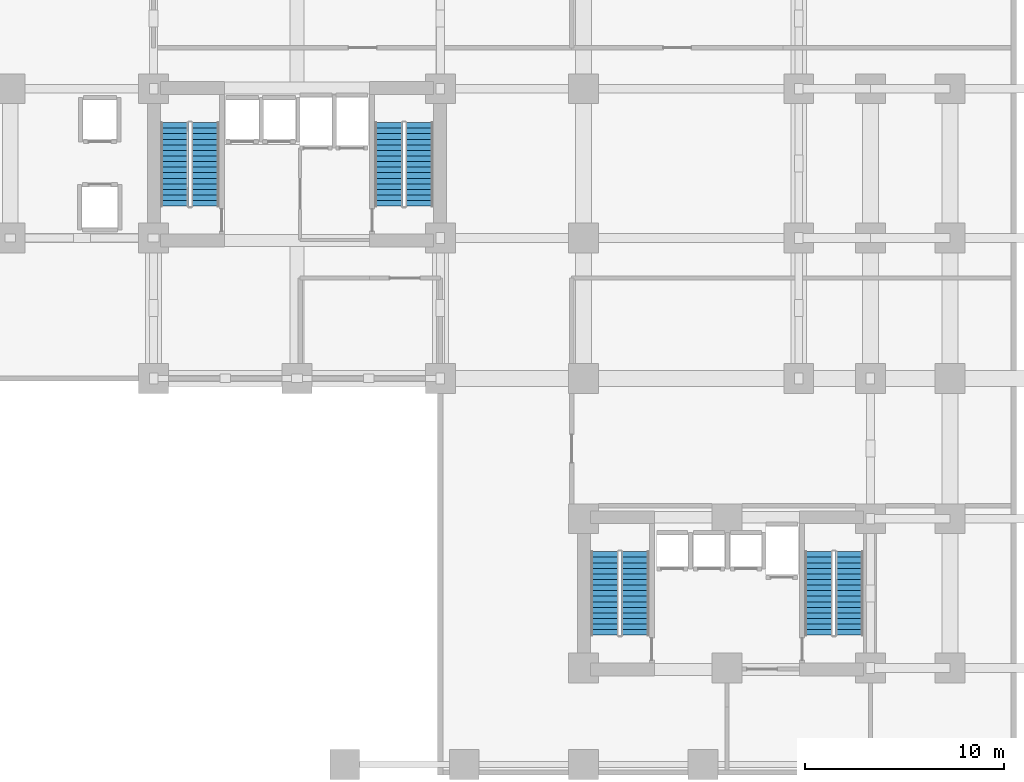
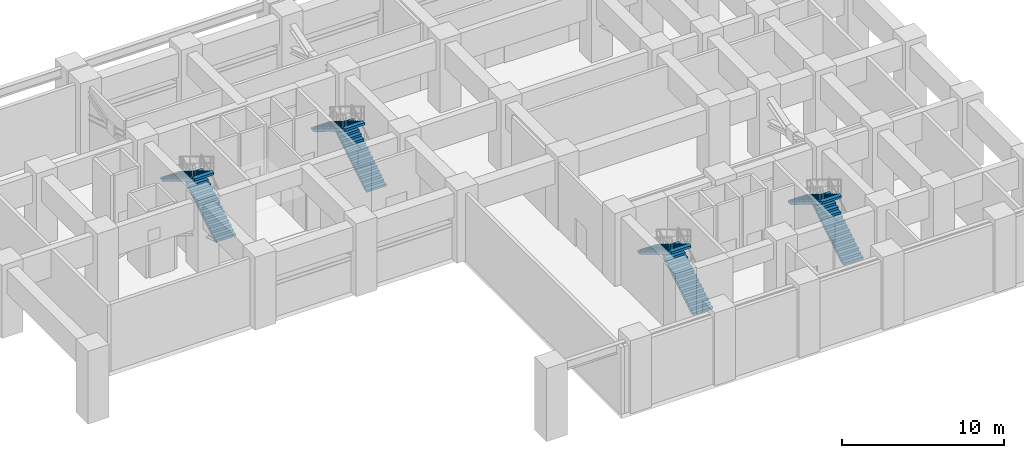
# One storey, part 6 of 9: 8 stair flights, 4 elements without a shape of their own.
"""IFC4 building model written with IfcOpenShell, lengths in metres."""

from ifc_helpers import new_model, si_unit, direction, frame, origin, place, context, subcontext, project, spatial, polyline, outline, extrude, material, type_object, element, aggregate, save


model = new_model("IFC4")

# Units and contexts
model_context = context("Model", 3, precision=1e-05, world=origin(), true_north=direction((0.0, 1.0)))
body_context = subcontext(model_context, "Body", "Model", "MODEL_VIEW")
ifc_project = project(units=[si_unit("LENGTHUNIT", "METRE"), si_unit("AREAUNIT", "SQUARE_METRE"), si_unit("VOLUMEUNIT", "CUBIC_METRE"), si_unit("PLANEANGLEUNIT", "RADIAN"), si_unit("MASSUNIT", "GRAM", prefix="KILO")], contexts=[model_context])

# Site, building, storey
site_placement = place(None, origin())
site = spatial("IfcSite", under=ifc_project, at=site_placement, CompositionType="ELEMENT")
building_placement = place(site_placement, origin())
building = spatial("IfcBuilding", under=site, at=building_placement, Name="Kaliganga Portal Commons", CompositionType="ELEMENT")
storey_placement = place(building_placement, frame((0.0, 0.0, 19.800048828125)))
storey = spatial("IfcBuildingStorey", under=building, at=storey_placement, Name="L04", CompositionType="ELEMENT", Elevation=19.800048828125)

# Stair, stair flights
ifc_material = material(Name="Concrete C40/50", Category="concrete")
stair_type = type_object("IfcStairType", Name="ST-CORE-DOGLEG", PredefinedType="HALF_TURN_STAIR", material=ifc_material)
stair_1_placement = place(storey_placement, origin())
stair_1 = element("IfcStair", 1, at=stair_1_placement, inside=storey, type_object=stair_type, Name="L04 Protected Exit Stair ST-A1", PredefinedType="HALF_TURN_STAIR")
stair_flight_type = type_object("IfcStairFlightType", Name="STF-RC-1400", PredefinedType="STRAIGHT", material=ifc_material)
stair_flight_1_placement = place(storey_placement, frame((17.0, 30.25, 0.0), z_axis=(0.0, 0.0, 1.0), x_axis=(0.0, 1.0, 0.0)))
stair_flight_1 = element("IfcStairFlight", 2, at=stair_flight_1_placement, type_object=stair_flight_type, Name="ST-A1 flight 1", NumberOfRisers=16, NumberOfTreads=15, PredefinedType="STRAIGHT", RiserHeight=0.171875, TreadLength=0.28, context=body_context, shape_type="SweptSolid", body=[
    extrude(outline(polyline([(0.0, 0.0), (0.0, 0.171875), (0.280029296875, 0.171875), (0.280029296875, 0.34375), (0.56005859375, 0.34375), (0.56005859375, 0.515625), (0.840087890625, 0.515625), (0.840087890625, 0.6875), (1.1201171875, 0.6875), (1.1201171875, 0.859375), (1.39990234375, 0.859375), (1.39990234375, 1.03125), (1.679931640625, 1.03125), (1.679931640625, 1.203125), (1.9599609375, 1.203125), (1.9599609375, 1.375), (2.239990234375, 1.375), (2.239990234375, 1.546875), (2.52001953125, 1.546875), (2.52001953125, 1.71875), (2.800048828125, 1.71875), (2.800048828125, 1.890625), (3.080078125, 1.890625), (3.080078125, 2.0625), (3.360107421875, 2.0625), (3.360107421875, 2.234375), (3.639892578125, 2.234375), (3.639892578125, 2.40625), (3.919921875, 2.40625), (3.919921875, 2.578125), (4.199951171875, 2.578125), (4.199951171875, 2.75), (4.199951171875, 2.40234375), (0.28662109375, 0.0), (0.0, 0.0)])), frame((0.0, 0.699951171875, 0.0), z_axis=(0.0, -1.0, 0.0), x_axis=(1.0, 0.0, 0.0)), (0.0, 0.0, 1.0), 1.39990234375),
])
stair_flight_2_placement = place(storey_placement, frame((15.449951171875, 34.449951171875, 2.75), z_axis=(0.0, 0.0, 1.0), x_axis=(0.0, -1.0, 0.0)))
stair_flight_2 = element("IfcStairFlight", 3, at=stair_flight_2_placement, type_object=stair_flight_type, Name="ST-A1 flight 2", NumberOfRisers=16, NumberOfTreads=15, PredefinedType="STRAIGHT", RiserHeight=0.171875, TreadLength=0.28, context=body_context, shape_type="SweptSolid", body=[
    extrude(outline(polyline([(0.0, 0.0), (0.0, 0.171875), (0.280029296875, 0.171875), (0.280029296875, 0.34375), (0.56005859375, 0.34375), (0.56005859375, 0.515625), (0.840087890625, 0.515625), (0.840087890625, 0.6875), (1.1201171875, 0.6875), (1.1201171875, 0.859375), (1.39990234375, 0.859375), (1.39990234375, 1.03125), (1.679931640625, 1.03125), (1.679931640625, 1.203125), (1.9599609375, 1.203125), (1.9599609375, 1.375), (2.239990234375, 1.375), (2.239990234375, 1.546875), (2.52001953125, 1.546875), (2.52001953125, 1.71875), (2.800048828125, 1.71875), (2.800048828125, 1.890625), (3.080078125, 1.890625), (3.080078125, 2.0625), (3.360107421875, 2.0625), (3.360107421875, 2.234375), (3.639892578125, 2.234375), (3.639892578125, 2.40625), (3.919921875, 2.40625), (3.919921875, 2.578125), (4.199951171875, 2.578125), (4.199951171875, 2.75), (4.199951171875, 2.40234375), (0.28662109375, 0.0), (0.0, 0.0)])), frame((0.0, 0.699951171875, 0.0), z_axis=(0.0, -1.0, 0.0), x_axis=(1.0, 0.0, 0.0)), (0.0, 0.0, 1.0), 1.39990234375),
])
aggregate(stair_1, [stair_flight_1, stair_flight_2])

stair_2_placement = place(storey_placement, origin())
stair_2 = element("IfcStair", 4, at=stair_2_placement, inside=storey, type_object=stair_type, Name="L04 Protected Exit Stair ST-A2", PredefinedType="HALF_TURN_STAIR")
stair_flight_3_placement = place(storey_placement, frame((27.75, 30.25, 0.0), z_axis=(0.0, 0.0, 1.0), x_axis=(0.0, 1.0, 0.0)))
stair_flight_3 = element("IfcStairFlight", 5, at=stair_flight_3_placement, type_object=stair_flight_type, Name="ST-A2 flight 1", NumberOfRisers=16, NumberOfTreads=15, PredefinedType="STRAIGHT", RiserHeight=0.171875, TreadLength=0.28, context=body_context, shape_type="SweptSolid", body=[
    extrude(outline(polyline([(0.0, 0.0), (0.0, 0.171875), (0.280029296875, 0.171875), (0.280029296875, 0.34375), (0.56005859375, 0.34375), (0.56005859375, 0.515625), (0.840087890625, 0.515625), (0.840087890625, 0.6875), (1.1201171875, 0.6875), (1.1201171875, 0.859375), (1.39990234375, 0.859375), (1.39990234375, 1.03125), (1.679931640625, 1.03125), (1.679931640625, 1.203125), (1.9599609375, 1.203125), (1.9599609375, 1.375), (2.239990234375, 1.375), (2.239990234375, 1.546875), (2.52001953125, 1.546875), (2.52001953125, 1.71875), (2.800048828125, 1.71875), (2.800048828125, 1.890625), (3.080078125, 1.890625), (3.080078125, 2.0625), (3.360107421875, 2.0625), (3.360107421875, 2.234375), (3.639892578125, 2.234375), (3.639892578125, 2.40625), (3.919921875, 2.40625), (3.919921875, 2.578125), (4.199951171875, 2.578125), (4.199951171875, 2.75), (4.199951171875, 2.40234375), (0.28662109375, 0.0), (0.0, 0.0)])), frame((0.0, 0.699951171875, 0.0), z_axis=(0.0, -1.0, 0.0), x_axis=(1.0, 0.0, 0.0)), (0.0, 0.0, 1.0), 1.39990234375),
])
stair_flight_4_placement = place(storey_placement, frame((26.199951171875, 34.449951171875, 2.75), z_axis=(0.0, 0.0, 1.0), x_axis=(0.0, -1.0, 0.0)))
stair_flight_4 = element("IfcStairFlight", 6, at=stair_flight_4_placement, type_object=stair_flight_type, Name="ST-A2 flight 2", NumberOfRisers=16, NumberOfTreads=15, PredefinedType="STRAIGHT", RiserHeight=0.171875, TreadLength=0.28, context=body_context, shape_type="SweptSolid", body=[
    extrude(outline(polyline([(0.0, 0.0), (0.0, 0.171875), (0.280029296875, 0.171875), (0.280029296875, 0.34375), (0.56005859375, 0.34375), (0.56005859375, 0.515625), (0.840087890625, 0.515625), (0.840087890625, 0.6875), (1.1201171875, 0.6875), (1.1201171875, 0.859375), (1.39990234375, 0.859375), (1.39990234375, 1.03125), (1.679931640625, 1.03125), (1.679931640625, 1.203125), (1.9599609375, 1.203125), (1.9599609375, 1.375), (2.239990234375, 1.375), (2.239990234375, 1.546875), (2.52001953125, 1.546875), (2.52001953125, 1.71875), (2.800048828125, 1.71875), (2.800048828125, 1.890625), (3.080078125, 1.890625), (3.080078125, 2.0625), (3.360107421875, 2.0625), (3.360107421875, 2.234375), (3.639892578125, 2.234375), (3.639892578125, 2.40625), (3.919921875, 2.40625), (3.919921875, 2.578125), (4.199951171875, 2.578125), (4.199951171875, 2.75), (4.199951171875, 2.40234375), (0.28662109375, 0.0), (0.0, 0.0)])), frame((0.0, 0.699951171875, 0.0), z_axis=(0.0, -1.0, 0.0), x_axis=(1.0, 0.0, 0.0)), (0.0, 0.0, 1.0), 1.39990234375),
])
aggregate(stair_2, [stair_flight_3, stair_flight_4])

stair_3_placement = place(storey_placement, origin())
stair_3 = element("IfcStair", 7, at=stair_3_placement, inside=storey, type_object=stair_type, Name="L04 Protected Exit Stair ST-B1", PredefinedType="HALF_TURN_STAIR")
stair_flight_5_placement = place(storey_placement, frame((38.60009765625, 8.699951171875, 0.0), z_axis=(0.0, 0.0, 1.0), x_axis=(0.0, 1.0, 0.0)))
stair_flight_5 = element("IfcStairFlight", 8, at=stair_flight_5_placement, type_object=stair_flight_type, Name="ST-B1 flight 1", NumberOfRisers=16, NumberOfTreads=15, PredefinedType="STRAIGHT", RiserHeight=0.171875, TreadLength=0.28, context=body_context, shape_type="SweptSolid", body=[
    extrude(outline(polyline([(0.0, 0.0), (0.0, 0.171875), (0.280029296875, 0.171875), (0.280029296875, 0.34375), (0.56005859375, 0.34375), (0.56005859375, 0.515625), (0.840087890625, 0.515625), (0.840087890625, 0.6875), (1.1201171875, 0.6875), (1.1201171875, 0.859375), (1.39990234375, 0.859375), (1.39990234375, 1.03125), (1.679931640625, 1.03125), (1.679931640625, 1.203125), (1.9599609375, 1.203125), (1.9599609375, 1.375), (2.239990234375, 1.375), (2.239990234375, 1.546875), (2.52001953125, 1.546875), (2.52001953125, 1.71875), (2.800048828125, 1.71875), (2.800048828125, 1.890625), (3.080078125, 1.890625), (3.080078125, 2.0625), (3.360107421875, 2.0625), (3.360107421875, 2.234375), (3.639892578125, 2.234375), (3.639892578125, 2.40625), (3.919921875, 2.40625), (3.919921875, 2.578125), (4.199951171875, 2.578125), (4.199951171875, 2.75), (4.199951171875, 2.40234375), (0.28662109375, 0.0), (0.0, 0.0)])), frame((0.0, 0.699951171875, 0.0), z_axis=(0.0, -1.0, 0.0), x_axis=(1.0, 0.0, 0.0)), (0.0, 0.0, 1.0), 1.39990234375),
])
stair_flight_6_placement = place(storey_placement, frame((37.050048828125, 12.89990234375, 2.75), z_axis=(0.0, 0.0, 1.0), x_axis=(0.0, -1.0, 0.0)))
stair_flight_6 = element("IfcStairFlight", 9, at=stair_flight_6_placement, type_object=stair_flight_type, Name="ST-B1 flight 2", NumberOfRisers=16, NumberOfTreads=15, PredefinedType="STRAIGHT", RiserHeight=0.171875, TreadLength=0.28, context=body_context, shape_type="SweptSolid", body=[
    extrude(outline(polyline([(0.0, 0.0), (0.0, 0.171875), (0.280029296875, 0.171875), (0.280029296875, 0.34375), (0.56005859375, 0.34375), (0.56005859375, 0.515625), (0.840087890625, 0.515625), (0.840087890625, 0.6875), (1.1201171875, 0.6875), (1.1201171875, 0.859375), (1.39990234375, 0.859375), (1.39990234375, 1.03125), (1.679931640625, 1.03125), (1.679931640625, 1.203125), (1.9599609375, 1.203125), (1.9599609375, 1.375), (2.239990234375, 1.375), (2.239990234375, 1.546875), (2.52001953125, 1.546875), (2.52001953125, 1.71875), (2.800048828125, 1.71875), (2.800048828125, 1.890625), (3.080078125, 1.890625), (3.080078125, 2.0625), (3.360107421875, 2.0625), (3.360107421875, 2.234375), (3.639892578125, 2.234375), (3.639892578125, 2.40625), (3.919921875, 2.40625), (3.919921875, 2.578125), (4.199951171875, 2.578125), (4.199951171875, 2.75), (4.199951171875, 2.40234375), (0.28662109375, 0.0), (0.0, 0.0)])), frame((0.0, 0.699951171875, 0.0), z_axis=(0.0, -1.0, 0.0), x_axis=(1.0, 0.0, 0.0)), (0.0, 0.0, 1.0), 1.39990234375),
])
aggregate(stair_3, [stair_flight_5, stair_flight_6])

stair_4_placement = place(storey_placement, origin())
stair_4 = element("IfcStair", 10, at=stair_4_placement, inside=storey, type_object=stair_type, Name="L04 Protected Exit Stair ST-B2", PredefinedType="HALF_TURN_STAIR")
stair_flight_7_placement = place(storey_placement, frame((49.35009765625, 8.699951171875, 0.0), z_axis=(0.0, 0.0, 1.0), x_axis=(0.0, 1.0, 0.0)))
stair_flight_7 = element("IfcStairFlight", 11, at=stair_flight_7_placement, type_object=stair_flight_type, Name="ST-B2 flight 1", NumberOfRisers=16, NumberOfTreads=15, PredefinedType="STRAIGHT", RiserHeight=0.171875, TreadLength=0.28, context=body_context, shape_type="SweptSolid", body=[
    extrude(outline(polyline([(0.0, 0.0), (0.0, 0.171875), (0.280029296875, 0.171875), (0.280029296875, 0.34375), (0.56005859375, 0.34375), (0.56005859375, 0.515625), (0.840087890625, 0.515625), (0.840087890625, 0.6875), (1.1201171875, 0.6875), (1.1201171875, 0.859375), (1.39990234375, 0.859375), (1.39990234375, 1.03125), (1.679931640625, 1.03125), (1.679931640625, 1.203125), (1.9599609375, 1.203125), (1.9599609375, 1.375), (2.239990234375, 1.375), (2.239990234375, 1.546875), (2.52001953125, 1.546875), (2.52001953125, 1.71875), (2.800048828125, 1.71875), (2.800048828125, 1.890625), (3.080078125, 1.890625), (3.080078125, 2.0625), (3.360107421875, 2.0625), (3.360107421875, 2.234375), (3.639892578125, 2.234375), (3.639892578125, 2.40625), (3.919921875, 2.40625), (3.919921875, 2.578125), (4.199951171875, 2.578125), (4.199951171875, 2.75), (4.199951171875, 2.40234375), (0.28662109375, 0.0), (0.0, 0.0)])), frame((0.0, 0.699951171875, 0.0), z_axis=(0.0, -1.0, 0.0), x_axis=(1.0, 0.0, 0.0)), (0.0, 0.0, 1.0), 1.39990234375),
])
stair_flight_8_placement = place(storey_placement, frame((47.800048828125, 12.89990234375, 2.75), z_axis=(0.0, 0.0, 1.0), x_axis=(0.0, -1.0, 0.0)))
stair_flight_8 = element("IfcStairFlight", 12, at=stair_flight_8_placement, type_object=stair_flight_type, Name="ST-B2 flight 2", NumberOfRisers=16, NumberOfTreads=15, PredefinedType="STRAIGHT", RiserHeight=0.171875, TreadLength=0.28, context=body_context, shape_type="SweptSolid", body=[
    extrude(outline(polyline([(0.0, 0.0), (0.0, 0.171875), (0.280029296875, 0.171875), (0.280029296875, 0.34375), (0.56005859375, 0.34375), (0.56005859375, 0.515625), (0.840087890625, 0.515625), (0.840087890625, 0.6875), (1.1201171875, 0.6875), (1.1201171875, 0.859375), (1.39990234375, 0.859375), (1.39990234375, 1.03125), (1.679931640625, 1.03125), (1.679931640625, 1.203125), (1.9599609375, 1.203125), (1.9599609375, 1.375), (2.239990234375, 1.375), (2.239990234375, 1.546875), (2.52001953125, 1.546875), (2.52001953125, 1.71875), (2.800048828125, 1.71875), (2.800048828125, 1.890625), (3.080078125, 1.890625), (3.080078125, 2.0625), (3.360107421875, 2.0625), (3.360107421875, 2.234375), (3.639892578125, 2.234375), (3.639892578125, 2.40625), (3.919921875, 2.40625), (3.919921875, 2.578125), (4.199951171875, 2.578125), (4.199951171875, 2.75), (4.199951171875, 2.40234375), (0.28662109375, 0.0), (0.0, 0.0)])), frame((0.0, 0.699951171875, 0.0), z_axis=(0.0, -1.0, 0.0), x_axis=(1.0, 0.0, 0.0)), (0.0, 0.0, 1.0), 1.39990234375),
])
aggregate(stair_4, [stair_flight_7, stair_flight_8])

save(model, "model.ifc")
